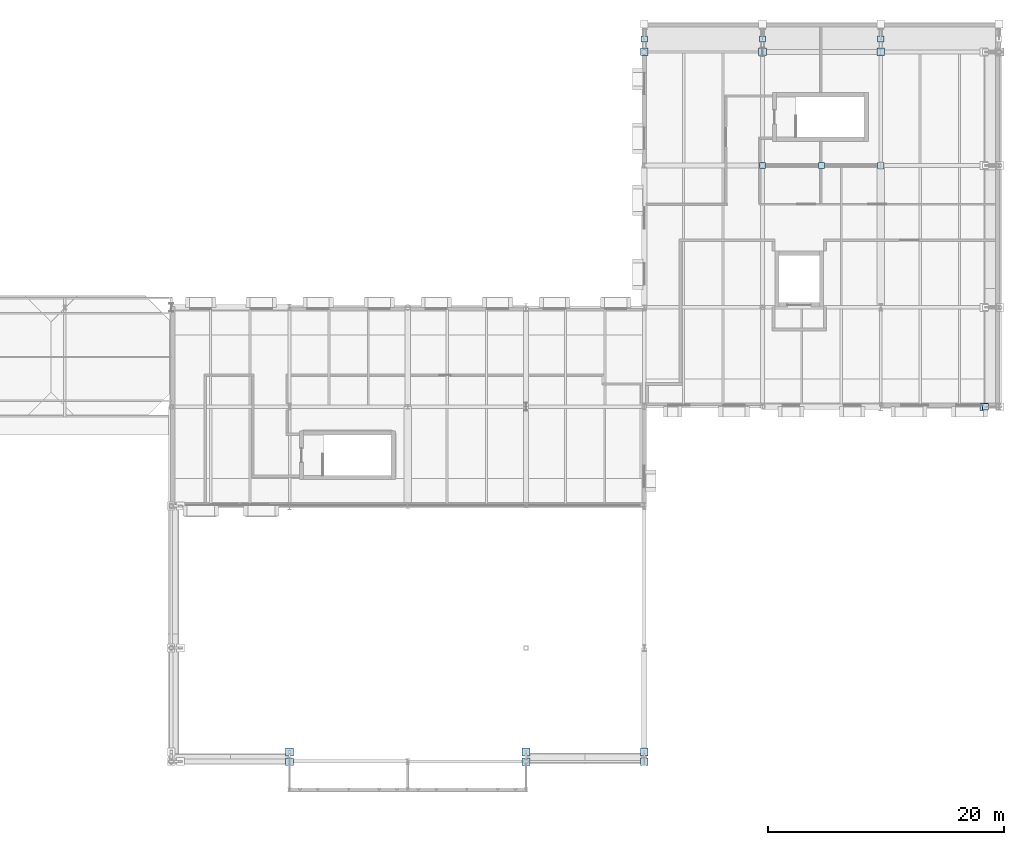
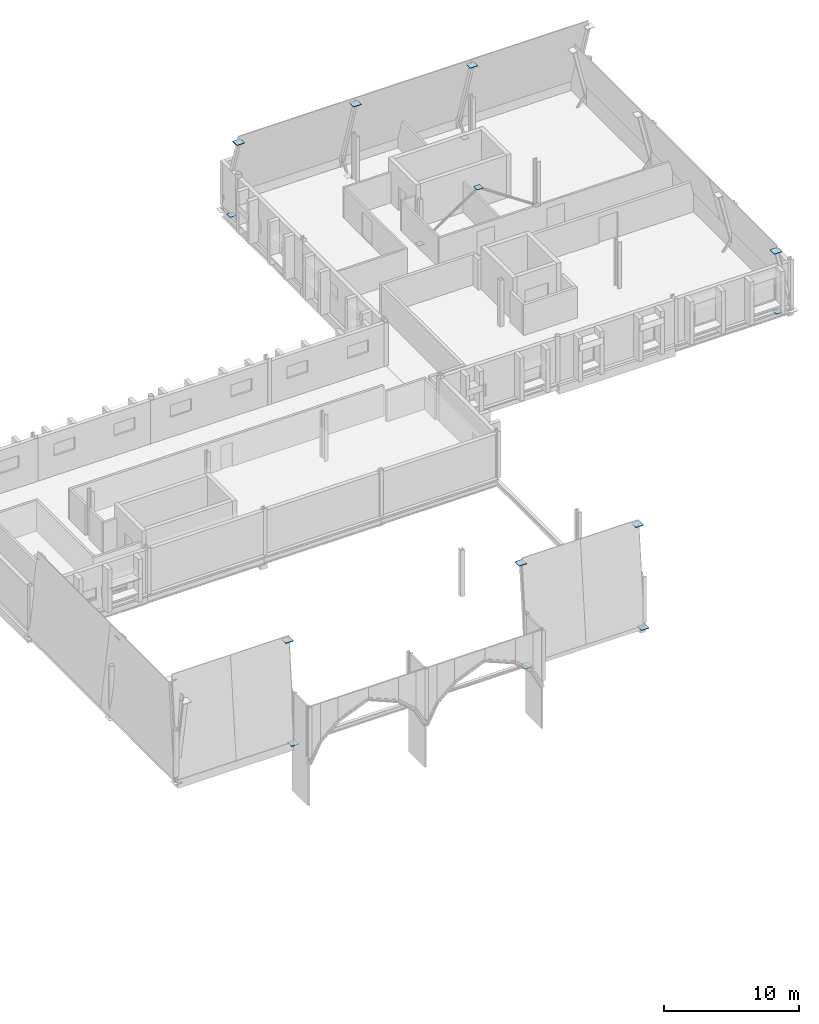
# One storey, part 59 of 90: 17 plates.
"""IFC4 building model written with IfcOpenShell, lengths in metres."""

from ifc_helpers import new_model, si_unit, direction, frame, origin, origin_2d, place, context, subcontext, project, spatial, rectangle, extrude, material, layer, layer_set, type_object, element, save


model = new_model("IFC4")

# Units and contexts
model_context = context("Model", 3, precision=1e-05, world=origin(), true_north=direction((0.0, 1.0)))
body_context = subcontext(model_context, "Body", "Model", "MODEL_VIEW")
ifc_project = project(units=[si_unit("LENGTHUNIT", "METRE"), si_unit("AREAUNIT", "SQUARE_METRE"), si_unit("VOLUMEUNIT", "CUBIC_METRE"), si_unit("PLANEANGLEUNIT", "RADIAN"), si_unit("MASSUNIT", "GRAM", prefix="KILO")], contexts=[model_context])

# Site, building, storey
site_placement = place(None, origin())
site = spatial("IfcSite", under=ifc_project, at=site_placement, CompositionType="ELEMENT")
building_placement = place(site_placement, origin())
building = spatial("IfcBuilding", under=site, at=building_placement, Name="Zereglee Splitstone Museum", CompositionType="ELEMENT")
storey_placement = place(building_placement, frame((0.0, 0.0, 4.800048828125)))
storey = spatial("IfcBuildingStorey", under=building, at=storey_placement, Name="L01", CompositionType="ELEMENT", Elevation=4.800048828125)

# Plates
ifc_material = material(Name="Steel S355J2", Category="steel")
ifc_layer_1 = layer(ifc_material, 0.030029296875)
ifc_layer_set_1 = layer_set([ifc_layer_1], Name="Steel S355J2")
plate_type_1 = type_object("IfcPlateType", Name="NP-04", PredefinedType="SHEET", material=ifc_layer_set_1)
for number, where, z_axis, x_axis, name in (
    (1, (306.0, 50.39990234375, 0.10498046875), (0.0, 0.0, 1.0), (1.0, 0.0, 0.0), "CBF Brace Gusset Cap L01-023"),
    (2, (316.0, 50.39990234375, 0.10498046875), (0.0, 0.0, 1.0), (1.0, 0.0, 0.0), "CBF Brace Gusset Cap L01-023"),
    (3, (311.0, 50.39990234375, 3.46484375), (0.0, 0.0, 1.0), (1.0, 0.0, 0.0), "CBF Brace Gusset Cap L01-023"),
    (4, (296.0, 61.10009765625, -0.27490234375), (0.0, 0.0, 1.0), (1.0, 0.0, 0.0), "Facet Tie Seal Plate FH-V6N"),
    (5, (306.0, 61.10009765625, -0.27490234375), (0.0, 0.0, 1.0), (1.0, 0.0, 0.0), "Facet Tie Seal Plate FH-V6N"),
    (6, (316.0, 61.10009765625, -0.27490234375), (0.0, 0.0, 1.0), (1.0, 0.0, 0.0), "Facet Tie Seal Plate FH-V6N"),
    (7, (324.85009765625, 30.0, -0.27490234375), (0.0, 0.0, 1.0), (1.0, 0.0, 0.0), "Facet Tie Seal Plate FH-V6E"),
):
    element("IfcPlate", number, at=place(storey_placement, frame(where, z_axis=z_axis, x_axis=x_axis)), inside=storey, type_object=plate_type_1, Name=name, PredefinedType="SHEET", context=body_context, shape_type="SweptSolid", body=[
        extrude(rectangle(XDim=0.52001953125, YDim=0.52001953125, at=origin_2d()), origin(), (0.0, 0.0, 1.0), 0.030029296875),
    ])
ifc_layer_2 = layer(ifc_material, 0.050048828125)
ifc_layer_set_2 = layer_set([ifc_layer_2], Name="Steel S355J2")
plate_type_2 = type_object("IfcPlateType", Name="NP-02", PredefinedType="SHEET", material=ifc_layer_set_2)
for number, where, z_axis, x_axis, name in (
    (8, (266.0, -0.0283203125, -0.5751953125), (0.0, 0.0, 1.0), (1.0, 0.0, 0.0), "Facet Strut Seal Plate FH-V5S"),
    (9, (266.0, 0.80126953125, 8.2548828125), (0.0, 0.0, 1.0), (1.0, 0.0, 0.0), "Facet Strut Seal Plate FH-V5S"),
    (10, (286.0, -0.0283203125, -0.5751953125), (0.0, 0.0, 1.0), (1.0, 0.0, 0.0), "Facet Strut Seal Plate FH-V5SE"),
    (11, (286.0, 0.80126953125, 8.2548828125), (0.0, 0.0, 1.0), (1.0, 0.0, 0.0), "Facet Strut Seal Plate FH-V5SE"),
    (12, (296.0, -0.0283203125, -0.5751953125), (0.0, 0.0, 1.0), (1.0, 0.0, 0.0), "Facet Strut Seal Plate FH-V5SE"),
    (13, (296.0, 0.80126953125, 8.2548828125), (0.0, 0.0, 1.0), (1.0, 0.0, 0.0), "Facet Strut Seal Plate FH-V5SE"),
    (14, (296.0, 60.01318359375, 6.955078125), (0.0, 0.0, 1.0), (1.0, 0.0, 0.0), "Facet Strut Seal Plate FH-V6N"),
    (15, (306.0, 60.01318359375, 6.955078125), (0.0, 0.0, 1.0), (1.0, 0.0, 0.0), "Facet Strut Seal Plate FH-V6N"),
    (16, (316.0, 60.01318359375, 6.955078125), (0.0, 0.0, 1.0), (1.0, 0.0, 0.0), "Facet Strut Seal Plate FH-V6N"),
    (17, (324.722412109375, 30.0, 5.2548828125), (0.0, 0.0, 1.0), (1.0, 0.0, 0.0), "Facet Strut Seal Plate FH-V6E"),
):
    element("IfcPlate", number, at=place(storey_placement, frame(where, z_axis=z_axis, x_axis=x_axis)), inside=storey, type_object=plate_type_2, Name=name, PredefinedType="SHEET", context=body_context, shape_type="SweptSolid", body=[
        extrude(rectangle(XDim=0.659912109375, YDim=0.659912109375, at=origin_2d()), origin(), (0.0, 0.0, 1.0), 0.050048828125),
    ])

save(model, "model.ifc")
